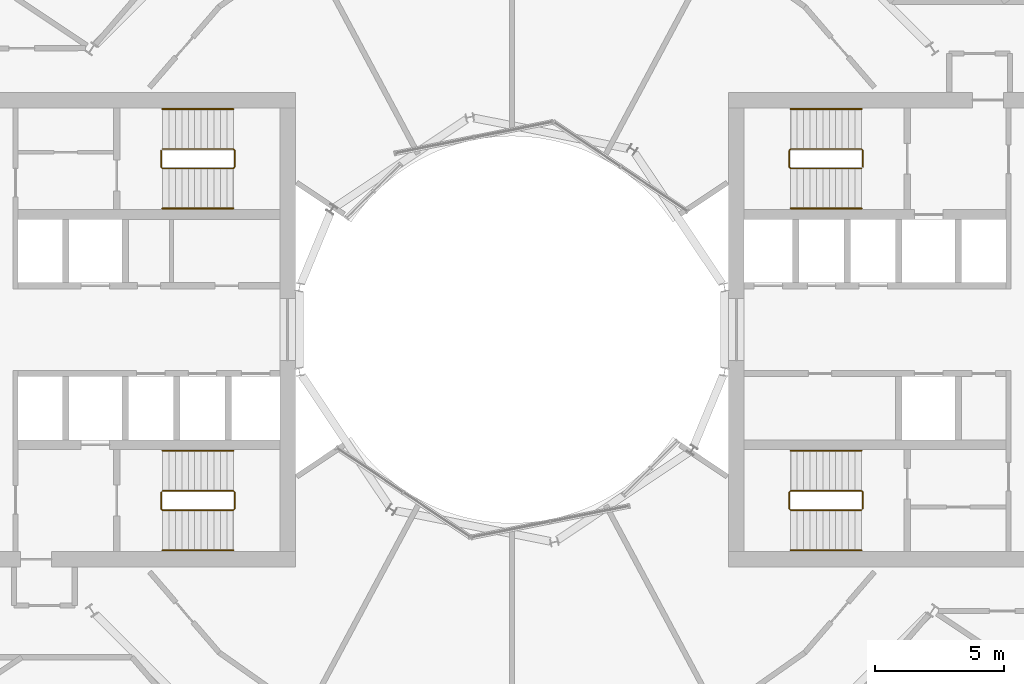
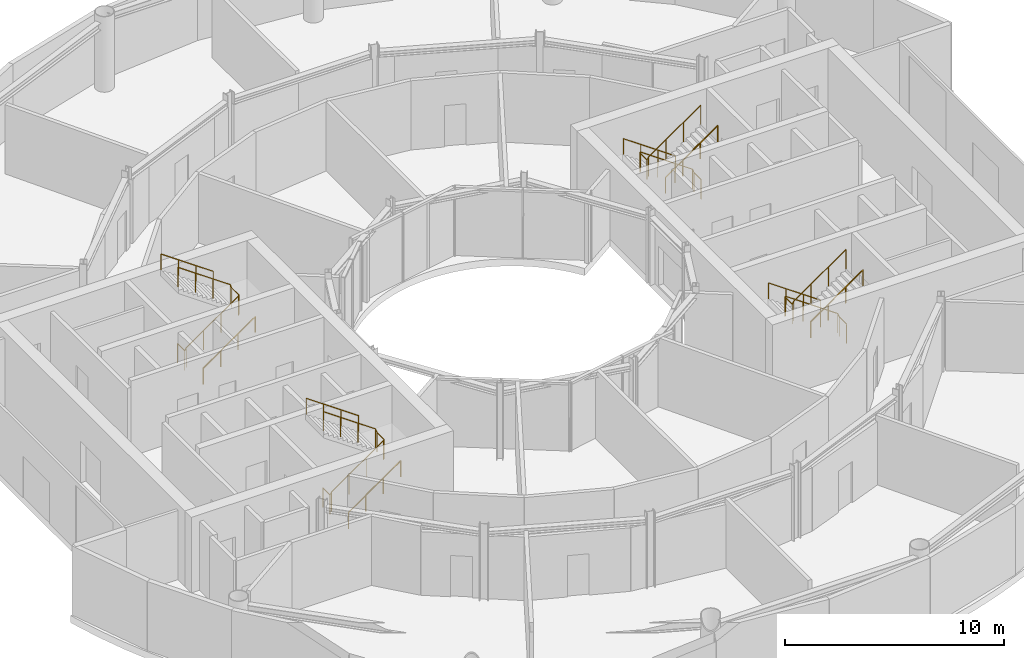
# One storey, part 18 of 18: 12 railings.
"""IFC4 building model written with IfcOpenShell, lengths in metres."""

from ifc_helpers import new_model, si_unit, direction, frame, origin, origin_2d, place, context, subcontext, project, spatial, circle, extrude, material, type_object, element, save


model = new_model("IFC4")

# Units and contexts
model_context = context("Model", 3, precision=1e-05, world=origin(), true_north=direction((0.0, 1.0)))
body_context = subcontext(model_context, "Body", "Model", "MODEL_VIEW")
ifc_project = project(units=[si_unit("LENGTHUNIT", "METRE"), si_unit("AREAUNIT", "SQUARE_METRE"), si_unit("VOLUMEUNIT", "CUBIC_METRE"), si_unit("PLANEANGLEUNIT", "RADIAN"), si_unit("MASSUNIT", "GRAM", prefix="KILO")], contexts=[model_context])

# Site, building, storey
site_placement = place(None, origin())
site = spatial("IfcSite", under=ifc_project, at=site_placement, CompositionType="ELEMENT")
building_placement = place(site_placement, origin())
building = spatial("IfcBuilding", under=site, at=building_placement, Name="Maasbend Ring Residences", CompositionType="ELEMENT")
storey_placement = place(building_placement, frame((0.0, 0.0, 103.25)))
storey = spatial("IfcBuildingStorey", under=building, at=storey_placement, Name="L29", CompositionType="ELEMENT", Elevation=103.25)

# Railings
ifc_material_1 = material(Name="Stainless steel 316", Category="steel")
railing_type_1 = type_object("IfcRailingType", Name="STAIR GUARD 1100", PredefinedType="GUARDRAIL", material=ifc_material_1)
railing_1_placement = place(storey_placement, frame((13.60009765625, 6.300048828125, 0.0)))
element("IfcRailing", 1, at=railing_1_placement, inside=storey, type_object=railing_type_1, Name="L29 ST-E1 stair guard 1", PredefinedType="GUARDRAIL", context=body_context, shape_type="SweptSolid", body=[
    extrude(circle(Radius=0.02392578125, at=origin_2d()), frame((0.0, 0.0, 1.076171875), z_axis=(0.0, 1.0, 0.0), x_axis=(-1.0, 0.0, 0.0)), (0.0, 0.0, 1.0), 0.64990234375),
    extrude(circle(Radius=0.02392578125, at=origin_2d()), frame((0.0, 0.64990234375, 1.076171875), z_axis=(-0.265065253269, 0.265065253269, 0.927081885822), x_axis=(-0.707106781187, -0.707106781187, 0.0)), (0.0, 0.0, 1.0), 0.188720703125),
    extrude(circle(Radius=0.02392578125, at=origin_2d()), frame((-0.050048828125, 0.699951171875, 1.2509765625), z_axis=(-0.819225086817, 0.0, 0.573472106672), x_axis=(0.0, -1.0, 0.0)), (0.0, 0.0, 1.0), 3.35693359375),
    extrude(circle(Radius=0.02392578125, at=origin_2d()), frame((-2.800048828125, 0.699951171875, 3.17626953125), z_axis=(-0.707106781187, -0.707106781187, 0.0), x_axis=(0.707106781187, -0.707106781187, 0.0)), (0.0, 0.0, 1.0), 0.07080078125),
    extrude(circle(Radius=0.02392578125, at=origin_2d()), frame((-2.85009765625, 0.64990234375, 3.17626953125), z_axis=(0.0, -1.0, 0.0), x_axis=(1.0, 0.0, 0.0)), (0.0, 0.0, 1.0), 0.64990234375),
    extrude(circle(Radius=0.02392578125, at=origin_2d()), frame((-2.85009765625, 0.0, 3.17626953125), z_axis=(0.265383341853, -0.265383341853, 0.926899867156), x_axis=(0.707106781187, 0.707106781187, 0.0)), (0.0, 0.0, 1.0), 0.1884765625),
    extrude(circle(Radius=0.02392578125, at=origin_2d()), frame((-2.800048828125, -0.050048828125, 3.35107421875), z_axis=(0.819225086817, 0.0, 0.573472106672), x_axis=(0.0, 1.0, 0.0)), (0.0, 0.0, 1.0), 3.35693359375),
    extrude(circle(Radius=0.02099609375, at=origin_2d()), origin(), (0.0, 0.0, 1.0), 1.052001953125),
    extrude(circle(Radius=0.02099609375, at=origin_2d()), frame((0.0, 0.64990234375, 0.0)), (0.0, 0.0, 1.0), 1.052001953125),
    extrude(circle(Radius=0.02099609375, at=origin_2d()), frame((-0.050048828125, 0.699951171875, 0.175048828125)), (0.0, 0.0, 1.0), 1.052001953125),
    extrude(circle(Radius=0.02099609375, at=origin_2d()), frame((-0.966796875, 0.699951171875, 0.816650390625)), (0.0, 0.0, 1.0), 1.052001953125),
    extrude(circle(Radius=0.02099609375, at=origin_2d()), frame((-1.88330078125, 0.699951171875, 1.45849609375)), (0.0, 0.0, 1.0), 1.052001953125),
    extrude(circle(Radius=0.02099609375, at=origin_2d()), frame((-2.800048828125, 0.699951171875, 2.10009765625)), (0.0, 0.0, 1.0), 1.052001953125),
    extrude(circle(Radius=0.02099609375, at=origin_2d()), frame((-2.85009765625, 0.64990234375, 2.10009765625)), (0.0, 0.0, 1.0), 1.052001953125),
    extrude(circle(Radius=0.02099609375, at=origin_2d()), frame((-2.85009765625, 0.0, 2.10009765625)), (0.0, 0.0, 1.0), 1.052001953125),
    extrude(circle(Radius=0.02099609375, at=origin_2d()), frame((-2.800048828125, -0.050048828125, 2.27490234375)), (0.0, 0.0, 1.0), 1.052001953125),
    extrude(circle(Radius=0.02099609375, at=origin_2d()), frame((-1.88330078125, -0.050048828125, 2.91650390625)), (0.0, 0.0, 1.0), 1.052001953125),
    extrude(circle(Radius=0.02099609375, at=origin_2d()), frame((-0.966796875, -0.050048828125, 3.558349609375)), (0.0, 0.0, 1.0), 1.052001953125),
    extrude(circle(Radius=0.02099609375, at=origin_2d()), frame((-0.050048828125, -0.050048828125, 4.199951171875)), (0.0, 0.0, 1.0), 1.052001953125),
])
railing_2_placement = place(storey_placement, frame((13.60009765625, -6.949951171875, 0.0)))
element("IfcRailing", 2, at=railing_2_placement, inside=storey, type_object=railing_type_1, Name="L29 ST-E2 stair guard 1", PredefinedType="GUARDRAIL", context=body_context, shape_type="SweptSolid", body=[
    extrude(circle(Radius=0.02392578125, at=origin_2d()), frame((0.0, 0.0, 1.076171875), z_axis=(0.0, 1.0, 0.0), x_axis=(-1.0, 0.0, 0.0)), (0.0, 0.0, 1.0), 0.64990234375),
    extrude(circle(Radius=0.02392578125, at=origin_2d()), frame((0.0, 0.64990234375, 1.076171875), z_axis=(-0.265065253269, 0.265065253269, 0.927081885822), x_axis=(-0.707106781187, -0.707106781187, 0.0)), (0.0, 0.0, 1.0), 0.188720703125),
    extrude(circle(Radius=0.02392578125, at=origin_2d()), frame((-0.050048828125, 0.699951171875, 1.2509765625), z_axis=(-0.819225086817, 0.0, 0.573472106672), x_axis=(0.0, -1.0, 0.0)), (0.0, 0.0, 1.0), 3.35693359375),
    extrude(circle(Radius=0.02392578125, at=origin_2d()), frame((-2.800048828125, 0.699951171875, 3.17626953125), z_axis=(-0.707106781187, -0.707106781187, 0.0), x_axis=(0.707106781187, -0.707106781187, 0.0)), (0.0, 0.0, 1.0), 0.07080078125),
    extrude(circle(Radius=0.02392578125, at=origin_2d()), frame((-2.85009765625, 0.64990234375, 3.17626953125), z_axis=(0.0, -1.0, 0.0), x_axis=(1.0, 0.0, 0.0)), (0.0, 0.0, 1.0), 0.64990234375),
    extrude(circle(Radius=0.02392578125, at=origin_2d()), frame((-2.85009765625, 0.0, 3.17626953125), z_axis=(0.265383341853, -0.265383341853, 0.926899867156), x_axis=(0.707106781187, 0.707106781187, 0.0)), (0.0, 0.0, 1.0), 0.1884765625),
    extrude(circle(Radius=0.02392578125, at=origin_2d()), frame((-2.800048828125, -0.050048828125, 3.35107421875), z_axis=(0.819225086817, 0.0, 0.573472106672), x_axis=(0.0, 1.0, 0.0)), (0.0, 0.0, 1.0), 3.35693359375),
    extrude(circle(Radius=0.02099609375, at=origin_2d()), origin(), (0.0, 0.0, 1.0), 1.052001953125),
    extrude(circle(Radius=0.02099609375, at=origin_2d()), frame((0.0, 0.64990234375, 0.0)), (0.0, 0.0, 1.0), 1.052001953125),
    extrude(circle(Radius=0.02099609375, at=origin_2d()), frame((-0.050048828125, 0.699951171875, 0.175048828125)), (0.0, 0.0, 1.0), 1.052001953125),
    extrude(circle(Radius=0.02099609375, at=origin_2d()), frame((-0.966796875, 0.699951171875, 0.816650390625)), (0.0, 0.0, 1.0), 1.052001953125),
    extrude(circle(Radius=0.02099609375, at=origin_2d()), frame((-1.88330078125, 0.699951171875, 1.45849609375)), (0.0, 0.0, 1.0), 1.052001953125),
    extrude(circle(Radius=0.02099609375, at=origin_2d()), frame((-2.800048828125, 0.699951171875, 2.10009765625)), (0.0, 0.0, 1.0), 1.052001953125),
    extrude(circle(Radius=0.02099609375, at=origin_2d()), frame((-2.85009765625, 0.64990234375, 2.10009765625)), (0.0, 0.0, 1.0), 1.052001953125),
    extrude(circle(Radius=0.02099609375, at=origin_2d()), frame((-2.85009765625, 0.0, 2.10009765625)), (0.0, 0.0, 1.0), 1.052001953125),
    extrude(circle(Radius=0.02099609375, at=origin_2d()), frame((-2.800048828125, -0.050048828125, 2.27490234375)), (0.0, 0.0, 1.0), 1.052001953125),
    extrude(circle(Radius=0.02099609375, at=origin_2d()), frame((-1.88330078125, -0.050048828125, 2.91650390625)), (0.0, 0.0, 1.0), 1.052001953125),
    extrude(circle(Radius=0.02099609375, at=origin_2d()), frame((-0.966796875, -0.050048828125, 3.558349609375)), (0.0, 0.0, 1.0), 1.052001953125),
    extrude(circle(Radius=0.02099609375, at=origin_2d()), frame((-0.050048828125, -0.050048828125, 4.199951171875)), (0.0, 0.0, 1.0), 1.052001953125),
])
railing_3_placement = place(storey_placement, frame((-13.60009765625, -6.300048828125, 0.0)))
element("IfcRailing", 3, at=railing_3_placement, inside=storey, type_object=railing_type_1, Name="L29 ST-W1 stair guard 1", PredefinedType="GUARDRAIL", context=body_context, shape_type="SweptSolid", body=[
    extrude(circle(Radius=0.02392578125, at=origin_2d()), frame((0.0, 0.0, 1.076171875), z_axis=(0.0, -1.0, 0.0), x_axis=(1.0, 0.0, 0.0)), (0.0, 0.0, 1.0), 0.64990234375),
    extrude(circle(Radius=0.02392578125, at=origin_2d()), frame((0.0, -0.64990234375, 1.076171875), z_axis=(0.265065253269, -0.265065253269, 0.927081885822), x_axis=(0.707106781187, 0.707106781187, 0.0)), (0.0, 0.0, 1.0), 0.188720703125),
    extrude(circle(Radius=0.02392578125, at=origin_2d()), frame((0.050048828125, -0.699951171875, 1.2509765625), z_axis=(0.819225086817, 0.0, 0.573472106672), x_axis=(0.0, 1.0, 0.0)), (0.0, 0.0, 1.0), 3.35693359375),
    extrude(circle(Radius=0.02392578125, at=origin_2d()), frame((2.800048828125, -0.699951171875, 3.17626953125), z_axis=(0.707106781187, 0.707106781187, 0.0), x_axis=(-0.707106781187, 0.707106781187, 0.0)), (0.0, 0.0, 1.0), 0.07080078125),
    extrude(circle(Radius=0.02392578125, at=origin_2d()), frame((2.85009765625, -0.64990234375, 3.17626953125), z_axis=(0.0, 1.0, 0.0), x_axis=(-1.0, 0.0, 0.0)), (0.0, 0.0, 1.0), 0.64990234375),
    extrude(circle(Radius=0.02392578125, at=origin_2d()), frame((2.85009765625, 0.0, 3.17626953125), z_axis=(-0.265383341853, 0.265383341853, 0.926899867156), x_axis=(-0.707106781187, -0.707106781187, 0.0)), (0.0, 0.0, 1.0), 0.1884765625),
    extrude(circle(Radius=0.02392578125, at=origin_2d()), frame((2.800048828125, 0.050048828125, 3.35107421875), z_axis=(-0.819225086817, 0.0, 0.573472106672), x_axis=(0.0, -1.0, 0.0)), (0.0, 0.0, 1.0), 3.35693359375),
    extrude(circle(Radius=0.02099609375, at=origin_2d()), origin(), (0.0, 0.0, 1.0), 1.052001953125),
    extrude(circle(Radius=0.02099609375, at=origin_2d()), frame((0.0, -0.64990234375, 0.0)), (0.0, 0.0, 1.0), 1.052001953125),
    extrude(circle(Radius=0.02099609375, at=origin_2d()), frame((0.050048828125, -0.699951171875, 0.175048828125)), (0.0, 0.0, 1.0), 1.052001953125),
    extrude(circle(Radius=0.02099609375, at=origin_2d()), frame((0.966796875, -0.699951171875, 0.816650390625)), (0.0, 0.0, 1.0), 1.052001953125),
    extrude(circle(Radius=0.02099609375, at=origin_2d()), frame((1.88330078125, -0.699951171875, 1.45849609375)), (0.0, 0.0, 1.0), 1.052001953125),
    extrude(circle(Radius=0.02099609375, at=origin_2d()), frame((2.800048828125, -0.699951171875, 2.10009765625)), (0.0, 0.0, 1.0), 1.052001953125),
    extrude(circle(Radius=0.02099609375, at=origin_2d()), frame((2.85009765625, -0.64990234375, 2.10009765625)), (0.0, 0.0, 1.0), 1.052001953125),
    extrude(circle(Radius=0.02099609375, at=origin_2d()), frame((2.85009765625, 0.0, 2.10009765625)), (0.0, 0.0, 1.0), 1.052001953125),
    extrude(circle(Radius=0.02099609375, at=origin_2d()), frame((2.800048828125, 0.050048828125, 2.27490234375)), (0.0, 0.0, 1.0), 1.052001953125),
    extrude(circle(Radius=0.02099609375, at=origin_2d()), frame((1.88330078125, 0.050048828125, 2.91650390625)), (0.0, 0.0, 1.0), 1.052001953125),
    extrude(circle(Radius=0.02099609375, at=origin_2d()), frame((0.966796875, 0.050048828125, 3.558349609375)), (0.0, 0.0, 1.0), 1.052001953125),
    extrude(circle(Radius=0.02099609375, at=origin_2d()), frame((0.050048828125, 0.050048828125, 4.199951171875)), (0.0, 0.0, 1.0), 1.052001953125),
])
railing_4_placement = place(storey_placement, frame((-13.60009765625, 6.949951171875, 0.0)))
element("IfcRailing", 4, at=railing_4_placement, inside=storey, type_object=railing_type_1, Name="L29 ST-W2 stair guard 1", PredefinedType="GUARDRAIL", context=body_context, shape_type="SweptSolid", body=[
    extrude(circle(Radius=0.02392578125, at=origin_2d()), frame((0.0, 0.0, 1.076171875), z_axis=(0.0, -1.0, 0.0), x_axis=(1.0, 0.0, 0.0)), (0.0, 0.0, 1.0), 0.64990234375),
    extrude(circle(Radius=0.02392578125, at=origin_2d()), frame((0.0, -0.64990234375, 1.076171875), z_axis=(0.265065253269, -0.265065253269, 0.927081885822), x_axis=(0.707106781187, 0.707106781187, 0.0)), (0.0, 0.0, 1.0), 0.188720703125),
    extrude(circle(Radius=0.02392578125, at=origin_2d()), frame((0.050048828125, -0.699951171875, 1.2509765625), z_axis=(0.819225086817, 0.0, 0.573472106672), x_axis=(0.0, 1.0, 0.0)), (0.0, 0.0, 1.0), 3.35693359375),
    extrude(circle(Radius=0.02392578125, at=origin_2d()), frame((2.800048828125, -0.699951171875, 3.17626953125), z_axis=(0.707106781187, 0.707106781187, 0.0), x_axis=(-0.707106781187, 0.707106781187, 0.0)), (0.0, 0.0, 1.0), 0.07080078125),
    extrude(circle(Radius=0.02392578125, at=origin_2d()), frame((2.85009765625, -0.64990234375, 3.17626953125), z_axis=(0.0, 1.0, 0.0), x_axis=(-1.0, 0.0, 0.0)), (0.0, 0.0, 1.0), 0.64990234375),
    extrude(circle(Radius=0.02392578125, at=origin_2d()), frame((2.85009765625, 0.0, 3.17626953125), z_axis=(-0.265383341853, 0.265383341853, 0.926899867156), x_axis=(-0.707106781187, -0.707106781187, 0.0)), (0.0, 0.0, 1.0), 0.1884765625),
    extrude(circle(Radius=0.02392578125, at=origin_2d()), frame((2.800048828125, 0.050048828125, 3.35107421875), z_axis=(-0.819225086817, 0.0, 0.573472106672), x_axis=(0.0, -1.0, 0.0)), (0.0, 0.0, 1.0), 3.35693359375),
    extrude(circle(Radius=0.02099609375, at=origin_2d()), origin(), (0.0, 0.0, 1.0), 1.052001953125),
    extrude(circle(Radius=0.02099609375, at=origin_2d()), frame((0.0, -0.64990234375, 0.0)), (0.0, 0.0, 1.0), 1.052001953125),
    extrude(circle(Radius=0.02099609375, at=origin_2d()), frame((0.050048828125, -0.699951171875, 0.175048828125)), (0.0, 0.0, 1.0), 1.052001953125),
    extrude(circle(Radius=0.02099609375, at=origin_2d()), frame((0.966796875, -0.699951171875, 0.816650390625)), (0.0, 0.0, 1.0), 1.052001953125),
    extrude(circle(Radius=0.02099609375, at=origin_2d()), frame((1.88330078125, -0.699951171875, 1.45849609375)), (0.0, 0.0, 1.0), 1.052001953125),
    extrude(circle(Radius=0.02099609375, at=origin_2d()), frame((2.800048828125, -0.699951171875, 2.10009765625)), (0.0, 0.0, 1.0), 1.052001953125),
    extrude(circle(Radius=0.02099609375, at=origin_2d()), frame((2.85009765625, -0.64990234375, 2.10009765625)), (0.0, 0.0, 1.0), 1.052001953125),
    extrude(circle(Radius=0.02099609375, at=origin_2d()), frame((2.85009765625, 0.0, 2.10009765625)), (0.0, 0.0, 1.0), 1.052001953125),
    extrude(circle(Radius=0.02099609375, at=origin_2d()), frame((2.800048828125, 0.050048828125, 2.27490234375)), (0.0, 0.0, 1.0), 1.052001953125),
    extrude(circle(Radius=0.02099609375, at=origin_2d()), frame((1.88330078125, 0.050048828125, 2.91650390625)), (0.0, 0.0, 1.0), 1.052001953125),
    extrude(circle(Radius=0.02099609375, at=origin_2d()), frame((0.966796875, 0.050048828125, 3.558349609375)), (0.0, 0.0, 1.0), 1.052001953125),
    extrude(circle(Radius=0.02099609375, at=origin_2d()), frame((0.050048828125, 0.050048828125, 4.199951171875)), (0.0, 0.0, 1.0), 1.052001953125),
])
ifc_material_2 = material(Name="Stainless steel 316", Category="steel")
railing_type_2 = type_object("IfcRailingType", Name="STAIR HANDRAIL 900", PredefinedType="HANDRAIL", material=ifc_material_2)
railing_5_placement = place(storey_placement, frame((13.550048828125, 8.550048828125, 0.175048828125)))
element("IfcRailing", 5, at=railing_5_placement, inside=storey, type_object=railing_type_2, Name="L29 ST-E1 stair handrail 1", PredefinedType="HANDRAIL", context=body_context, shape_type="SweptSolid", body=[
    extrude(circle(Radius=0.02392578125, at=origin_2d()), frame((0.0, 0.0, 0.8759765625), z_axis=(-0.819225086817, 0.0, 0.573472106672), x_axis=(0.0, -1.0, 0.0)), (0.0, 0.0, 1.0), 3.35693359375),
    extrude(circle(Radius=0.02099609375, at=origin_2d()), origin(), (0.0, 0.0, 1.0), 0.851806640625),
    extrude(circle(Radius=0.02099609375, at=origin_2d()), frame((-0.916748046875, 0.0, 0.6416015625)), (0.0, 0.0, 1.0), 0.851806640625),
    extrude(circle(Radius=0.02099609375, at=origin_2d()), frame((-1.833251953125, 0.0, 1.283447265625)), (0.0, 0.0, 1.0), 0.851806640625),
    extrude(circle(Radius=0.02099609375, at=origin_2d()), frame((-2.75, 0.0, 1.925048828125)), (0.0, 0.0, 1.0), 0.851806640625),
])
railing_6_placement = place(storey_placement, frame((10.800048828125, 4.699951171875, 2.27490234375)))
element("IfcRailing", 6, at=railing_6_placement, inside=storey, type_object=railing_type_2, Name="L29 ST-E1 stair handrail 2", PredefinedType="HANDRAIL", context=body_context, shape_type="SweptSolid", body=[
    extrude(circle(Radius=0.02392578125, at=origin_2d()), frame((0.0, 0.0, 0.8759765625), z_axis=(0.819225086817, 0.0, 0.573472106672), x_axis=(0.0, 1.0, 0.0)), (0.0, 0.0, 1.0), 3.35693359375),
    extrude(circle(Radius=0.02099609375, at=origin_2d()), origin(), (0.0, 0.0, 1.0), 0.851806640625),
    extrude(circle(Radius=0.02099609375, at=origin_2d()), frame((0.916748046875, 0.0, 0.6416015625)), (0.0, 0.0, 1.0), 0.851806640625),
    extrude(circle(Radius=0.02099609375, at=origin_2d()), frame((1.833251953125, 0.0, 1.283447265625)), (0.0, 0.0, 1.0), 0.851806640625),
    extrude(circle(Radius=0.02099609375, at=origin_2d()), frame((2.75, 0.0, 1.925048828125)), (0.0, 0.0, 1.0), 0.851806640625),
])
railing_7_placement = place(storey_placement, frame((13.550048828125, -4.699951171875, 0.175048828125)))
element("IfcRailing", 7, at=railing_7_placement, inside=storey, type_object=railing_type_2, Name="L29 ST-E2 stair handrail 1", PredefinedType="HANDRAIL", context=body_context, shape_type="SweptSolid", body=[
    extrude(circle(Radius=0.02392578125, at=origin_2d()), frame((0.0, 0.0, 0.8759765625), z_axis=(-0.819225086817, 0.0, 0.573472106672), x_axis=(0.0, -1.0, 0.0)), (0.0, 0.0, 1.0), 3.35693359375),
    extrude(circle(Radius=0.02099609375, at=origin_2d()), origin(), (0.0, 0.0, 1.0), 0.851806640625),
    extrude(circle(Radius=0.02099609375, at=origin_2d()), frame((-0.916748046875, 0.0, 0.6416015625)), (0.0, 0.0, 1.0), 0.851806640625),
    extrude(circle(Radius=0.02099609375, at=origin_2d()), frame((-1.833251953125, 0.0, 1.283447265625)), (0.0, 0.0, 1.0), 0.851806640625),
    extrude(circle(Radius=0.02099609375, at=origin_2d()), frame((-2.75, 0.0, 1.925048828125)), (0.0, 0.0, 1.0), 0.851806640625),
])
for number, where, name in (
    (8, (10.800048828125, -8.550048828125, 2.27490234375), "L29 ST-E2 stair handrail 2"),
    (9, (-13.550048828125, -8.550048828125, 0.175048828125), "L29 ST-W1 stair handrail 1"),
):
    element("IfcRailing", number, at=place(storey_placement, frame(where)), inside=storey, type_object=railing_type_2, Name=name, PredefinedType="HANDRAIL", context=body_context, shape_type="SweptSolid", body=[
        extrude(circle(Radius=0.02392578125, at=origin_2d()), frame((0.0, 0.0, 0.8759765625), z_axis=(0.819225086817, 0.0, 0.573472106672), x_axis=(0.0, 1.0, 0.0)), (0.0, 0.0, 1.0), 3.35693359375),
        extrude(circle(Radius=0.02099609375, at=origin_2d()), origin(), (0.0, 0.0, 1.0), 0.851806640625),
        extrude(circle(Radius=0.02099609375, at=origin_2d()), frame((0.916748046875, 0.0, 0.6416015625)), (0.0, 0.0, 1.0), 0.851806640625),
        extrude(circle(Radius=0.02099609375, at=origin_2d()), frame((1.833251953125, 0.0, 1.283447265625)), (0.0, 0.0, 1.0), 0.851806640625),
        extrude(circle(Radius=0.02099609375, at=origin_2d()), frame((2.75, 0.0, 1.925048828125)), (0.0, 0.0, 1.0), 0.851806640625),
    ])
railing_8_placement = place(storey_placement, frame((-10.800048828125, -4.699951171875, 2.27490234375)))
element("IfcRailing", 10, at=railing_8_placement, inside=storey, type_object=railing_type_2, Name="L29 ST-W1 stair handrail 2", PredefinedType="HANDRAIL", context=body_context, shape_type="SweptSolid", body=[
    extrude(circle(Radius=0.02392578125, at=origin_2d()), frame((0.0, 0.0, 0.8759765625), z_axis=(-0.819225086817, 0.0, 0.573472106672), x_axis=(0.0, -1.0, 0.0)), (0.0, 0.0, 1.0), 3.35693359375),
    extrude(circle(Radius=0.02099609375, at=origin_2d()), origin(), (0.0, 0.0, 1.0), 0.851806640625),
    extrude(circle(Radius=0.02099609375, at=origin_2d()), frame((-0.916748046875, 0.0, 0.6416015625)), (0.0, 0.0, 1.0), 0.851806640625),
    extrude(circle(Radius=0.02099609375, at=origin_2d()), frame((-1.833251953125, 0.0, 1.283447265625)), (0.0, 0.0, 1.0), 0.851806640625),
    extrude(circle(Radius=0.02099609375, at=origin_2d()), frame((-2.75, 0.0, 1.925048828125)), (0.0, 0.0, 1.0), 0.851806640625),
])
railing_9_placement = place(storey_placement, frame((-13.550048828125, 4.699951171875, 0.175048828125)))
element("IfcRailing", 11, at=railing_9_placement, inside=storey, type_object=railing_type_2, Name="L29 ST-W2 stair handrail 1", PredefinedType="HANDRAIL", context=body_context, shape_type="SweptSolid", body=[
    extrude(circle(Radius=0.02392578125, at=origin_2d()), frame((0.0, 0.0, 0.8759765625), z_axis=(0.819225086817, 0.0, 0.573472106672), x_axis=(0.0, 1.0, 0.0)), (0.0, 0.0, 1.0), 3.35693359375),
    extrude(circle(Radius=0.02099609375, at=origin_2d()), origin(), (0.0, 0.0, 1.0), 0.851806640625),
    extrude(circle(Radius=0.02099609375, at=origin_2d()), frame((0.916748046875, 0.0, 0.6416015625)), (0.0, 0.0, 1.0), 0.851806640625),
    extrude(circle(Radius=0.02099609375, at=origin_2d()), frame((1.833251953125, 0.0, 1.283447265625)), (0.0, 0.0, 1.0), 0.851806640625),
    extrude(circle(Radius=0.02099609375, at=origin_2d()), frame((2.75, 0.0, 1.925048828125)), (0.0, 0.0, 1.0), 0.851806640625),
])
railing_10_placement = place(storey_placement, frame((-10.800048828125, 8.550048828125, 2.27490234375)))
element("IfcRailing", 12, at=railing_10_placement, inside=storey, type_object=railing_type_2, Name="L29 ST-W2 stair handrail 2", PredefinedType="HANDRAIL", context=body_context, shape_type="SweptSolid", body=[
    extrude(circle(Radius=0.02392578125, at=origin_2d()), frame((0.0, 0.0, 0.8759765625), z_axis=(-0.819225086817, 0.0, 0.573472106672), x_axis=(0.0, -1.0, 0.0)), (0.0, 0.0, 1.0), 3.35693359375),
    extrude(circle(Radius=0.02099609375, at=origin_2d()), origin(), (0.0, 0.0, 1.0), 0.851806640625),
    extrude(circle(Radius=0.02099609375, at=origin_2d()), frame((-0.916748046875, 0.0, 0.6416015625)), (0.0, 0.0, 1.0), 0.851806640625),
    extrude(circle(Radius=0.02099609375, at=origin_2d()), frame((-1.833251953125, 0.0, 1.283447265625)), (0.0, 0.0, 1.0), 0.851806640625),
    extrude(circle(Radius=0.02099609375, at=origin_2d()), frame((-2.75, 0.0, 1.925048828125)), (0.0, 0.0, 1.0), 0.851806640625),
])

save(model, "model.ifc")
